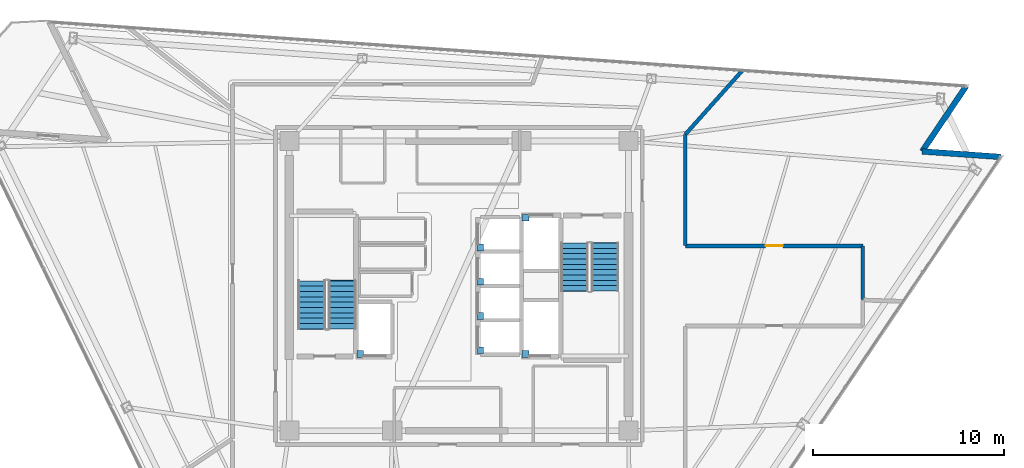
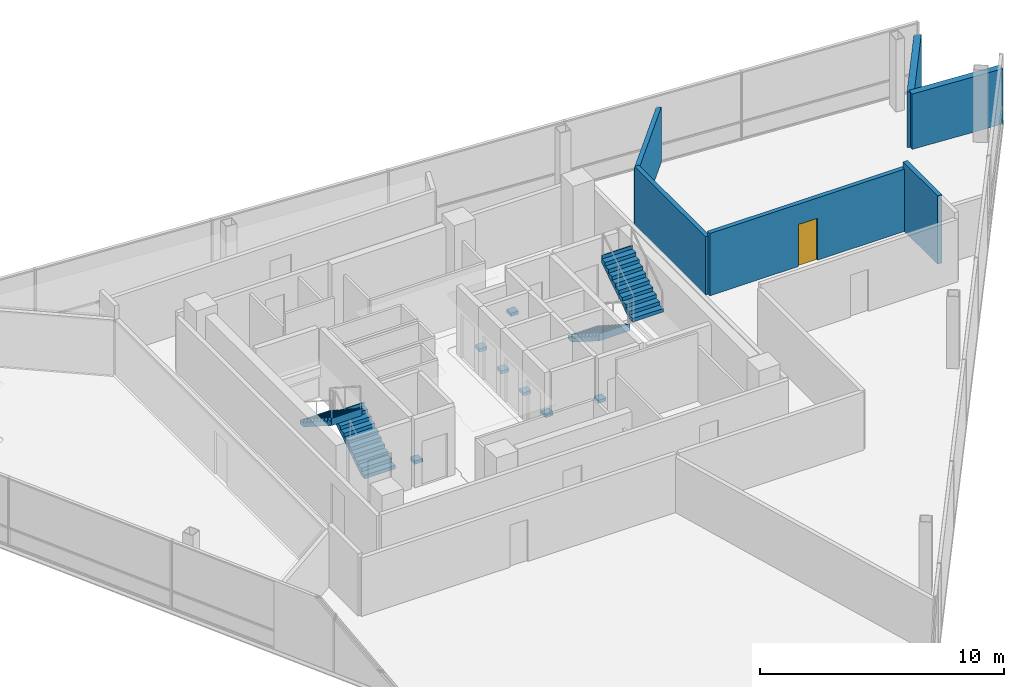
# One storey, part 11 of 14: 7 discrete accessories, 6 walls, 4 stair flights, 1 door, 1 opening, 2 elements without a shape of their own.
"""IFC4 building model written with IfcOpenShell, lengths in metres."""

from ifc_helpers import new_model, si_unit, direction, frame, frame_2d, origin, origin_2d, place, context, subcontext, project, spatial, polyline, rectangle, outline, extrude, material, layer, layer_set, type_object, element, fill, aggregate, save


model = new_model("IFC4")

# Units and contexts
model_context = context("Model", 3, precision=1e-05, world=origin(), true_north=direction((0.0, 1.0)))
body_context = subcontext(model_context, "Body", "Model", "MODEL_VIEW")
ifc_project = project(units=[si_unit("LENGTHUNIT", "METRE"), si_unit("AREAUNIT", "SQUARE_METRE"), si_unit("VOLUMEUNIT", "CUBIC_METRE"), si_unit("PLANEANGLEUNIT", "RADIAN"), si_unit("MASSUNIT", "GRAM", prefix="KILO")], contexts=[model_context])

# Site, building, storey
site_placement = place(None, origin())
site = spatial("IfcSite", under=ifc_project, at=site_placement, CompositionType="ELEMENT")
building_placement = place(site_placement, origin())
building = spatial("IfcBuilding", under=site, at=building_placement, Name="Tharavind Bronze Gate", CompositionType="ELEMENT")
storey_placement = place(building_placement, frame((0.0, 0.0, 230.64990234375)))
storey = spatial("IfcBuildingStorey", under=building, at=storey_placement, Name="L59", CompositionType="ELEMENT", Elevation=230.64990234375)

# Walls
ifc_material_1 = material(Name="Concrete C40/50", Category="concrete")
ifc_layer_1 = layer(ifc_material_1, 0.300048828125)
ifc_layer_set_1 = layer_set([ifc_layer_1], Name="Concrete C40/50")
wall_type_1 = type_object("IfcWallType", Name="EXTERIOR SPANDREL WALL 300", PredefinedType="STANDARD", material=ifc_layer_set_1)
for number, where, z_axis, x_axis, name in (
    (1, (28.430419921875, 6.77001953125, 0.0), (0.0, 0.0, 1.0), (-0.997561808984, 0.069788518089, 0.0), "L59 notch cheek wall 3A"),
    (2, (24.3125, 7.05810546875, 0.0), (0.0, 0.0, 1.0), (0.559209737351, 0.829026217711, 0.0), "L59 notch cheek wall 3B"),
):
    element("IfcWall", number, at=place(storey_placement, frame(where, z_axis=z_axis, x_axis=x_axis)), inside=storey, type_object=wall_type_1, Name=name, PredefinedType="STANDARD", context=body_context, shape_type="SweptSolid", body=[
        extrude(rectangle(XDim=4.1279296875, YDim=0.300048828125, at=frame_2d((2.06396484375, 0.0))), origin(), (0.0, 0.0, 1.0), 2.76513671875),
    ])
ifc_material_2 = material(Name="Aerated Concrete Block", Category="concrete")
ifc_layer_2 = layer(ifc_material_2, 0.199951171875)
ifc_layer_set_2 = layer_set([ifc_layer_2], Name="Aerated Concrete Block")
wall_type_2 = type_object("IfcWallType", Name="FIRE RATED PARTITION 200", PredefinedType="PARTITIONING", material=ifc_layer_set_2)
wall_1_placement = place(storey_placement, frame((21.199951171875, -0.71630859375, 0.0), z_axis=(0.0, 0.0, 1.0), x_axis=(0.0, 1.0, 0.0)))
element("IfcWall", 3, at=wall_1_placement, inside=storey, type_object=wall_type_2, Name="L59 Tea Pantry partition", PredefinedType="PARTITIONING", context=body_context, shape_type="SweptSolid", body=[
    extrude(rectangle(XDim=2.815673828125, YDim=0.199951171875, at=frame_2d((1.40771484375, 0.0))), origin(), (0.0, 0.0, 1.0), 3.420166015625),
])

# Wall, opening, door
wall_2_placement = place(storey_placement, frame((21.199462890625, 2.10009765625, 0.0), z_axis=(0.0, 0.0, 1.0), x_axis=(-1.0, 0.0, 0.0)))
wall_2 = element("IfcWall", 4, at=wall_2_placement, inside=storey, type_object=wall_type_2, Name="L59 Tea Pantry partition", PredefinedType="PARTITIONING", context=body_context, shape_type="SweptSolid", body=[
    extrude(rectangle(XDim=9.29443359375, YDim=0.199951171875, at=frame_2d((4.647216796875, 0.0))), origin(), (0.0, 0.0, 1.0), 3.114990234375),
])
opening_placement = place(wall_2_placement, frame((4.197021484375, 0.0, 0.0)))
opening = element("IfcOpeningElement", 5, at=opening_placement, cuts=wall_2, Name="Opening ID07", PredefinedType="OPENING", context=body_context, shape_type="SweptSolid", body=[
    extrude(rectangle(XDim=0.89990234375, YDim=2.10009765625, at=frame_2d((0.449951171875, 1.050048828125))), frame((0.0, 0.11009765625, 0.0), z_axis=(0.0, -1.0, 0.0), x_axis=(1.0, 0.0, 0.0)), (0.0, 0.0, 1.0), 0.219951171875),
])
ifc_material_3 = material(Name="Galvanised Fire Steel", Category="steel")
door_type = type_object("IfcDoorType", Name="PLANT AND RISER FIRE DOOR 900X2100", OperationType="SINGLE_SWING_LEFT", PredefinedType="DOOR", material=ifc_material_3)
door_placement = place(opening_placement, origin())
door = element("IfcDoor", 6, at=door_placement, inside=storey, type_object=door_type, Name="L59 Tea Pantry door", OperationType="SINGLE_SWING_LEFT", OverallHeight=2.10009765625, OverallWidth=0.89990234375, PredefinedType="DOOR", context=body_context, shape_type="SweptSolid", body=[
    extrude(rectangle(XDim=0.89990234375, YDim=2.10009765625, at=frame_2d((0.449951171875, 1.050048828125))), frame((0.0, 0.02490234375, 0.0), z_axis=(0.0, -1.0, 0.0), x_axis=(1.0, 0.0, 0.0)), (0.0, 0.0, 1.0), 0.050048828125),
])
fill(opening, door)

# Walls
wall_3_placement = place(storey_placement, frame((11.8798828125, 2.125, 0.0), z_axis=(0.0, 0.0, 1.0), x_axis=(0.0, 1.0, 0.0)))
element("IfcWall", 7, at=wall_3_placement, inside=storey, type_object=wall_type_2, Name="L59 Tea Pantry partition", PredefinedType="PARTITIONING", context=body_context, shape_type="SweptSolid", body=[
    extrude(rectangle(XDim=5.811279296875, YDim=0.199951171875, at=frame_2d((2.90576171875, 0.0))), origin(), (0.0, 0.0, 1.0), 2.9150390625),
])
wall_4_placement = place(storey_placement, frame((11.88623046875, 7.952880859375, 0.0), z_axis=(0.0, 0.0, 1.0), x_axis=(0.665672988236, 0.746243574668, 0.0)))
element("IfcWall", 8, at=wall_4_placement, inside=storey, type_object=wall_type_2, Name="L59 Tea Pantry partition", PredefinedType="PARTITIONING", context=body_context, shape_type="SweptSolid", body=[
    extrude(rectangle(XDim=4.487548828125, YDim=0.199951171875, at=frame_2d((2.24365234375, 0.0))), origin(), (0.0, 0.0, 1.0), 2.76513671875),
])

# Stair, stair flights
stair_type = type_object("IfcStairType", Name="CORE HALF TURN STAIR 1450", PredefinedType="HALF_TURN_STAIR", material=ifc_material_1)
stair_1_placement = place(storey_placement, origin())
stair_1 = element("IfcStair", 9, at=stair_1_placement, inside=storey, type_object=stair_type, Name="L59 Protected Exit Stair ST1", PredefinedType="HALF_TURN_STAIR")
stair_flight_type = type_object("IfcStairFlightType", Name="CORE STAIR FLIGHT 1450", PredefinedType="STRAIGHT", material=ifc_material_1)
stair_flight_1_placement = place(storey_placement, frame((-6.125, -2.25, 0.0), z_axis=(0.0, 0.0, 1.0), x_axis=(0.0, 1.0, 0.0)))
stair_flight_1 = element("IfcStairFlight", 10, at=stair_flight_1_placement, type_object=stair_flight_type, Name="ST1 flight 1", NumberOfRisers=10, NumberOfTreads=9, PredefinedType="STRAIGHT", RiserHeight=0.18, TreadLength=0.28, context=body_context, shape_type="SweptSolid", body=[
    extrude(outline(polyline([(0.0, 0.0), (0.0, 0.179931640625), (0.280029296875, 0.179931640625), (0.280029296875, 0.360107421875), (0.56005859375, 0.360107421875), (0.56005859375, 0.5400390625), (0.840087890625, 0.5400390625), (0.840087890625, 0.719970703125), (1.1201171875, 0.719970703125), (1.1201171875, 0.89990234375), (1.39990234375, 0.89990234375), (1.39990234375, 1.080078125), (1.679931640625, 1.080078125), (1.679931640625, 1.260009765625), (1.9599609375, 1.260009765625), (1.9599609375, 1.43994140625), (2.239990234375, 1.43994140625), (2.239990234375, 1.6201171875), (2.52001953125, 1.6201171875), (2.52001953125, 1.800048828125), (2.555908203125, 1.800048828125), (2.555908203125, 1.44189453125), (0.277099609375, 0.0), (0.0, 0.0)])), frame((0.0, 0.72509765625, 0.0), z_axis=(0.0, -1.0, 0.0), x_axis=(1.0, 0.0, 0.0)), (0.0, 0.0, 1.0), 1.449951171875),
])
stair_flight_2_placement = place(storey_placement, frame((-7.72509765625, 0.27001953125, 1.800048828125), z_axis=(0.0, 0.0, 1.0), x_axis=(0.0, -1.0, 0.0)))
stair_flight_2 = element("IfcStairFlight", 11, at=stair_flight_2_placement, type_object=stair_flight_type, Name="ST1 flight 2", NumberOfRisers=10, NumberOfTreads=9, PredefinedType="STRAIGHT", RiserHeight=0.18, TreadLength=0.28, context=body_context, shape_type="SweptSolid", body=[
    extrude(outline(polyline([(0.0, 0.0), (0.0, 0.179931640625), (0.280029296875, 0.179931640625), (0.280029296875, 0.360107421875), (0.56005859375, 0.360107421875), (0.56005859375, 0.5400390625), (0.840087890625, 0.5400390625), (0.840087890625, 0.719970703125), (1.1201171875, 0.719970703125), (1.1201171875, 0.89990234375), (1.39990234375, 0.89990234375), (1.39990234375, 1.080078125), (1.679931640625, 1.080078125), (1.679931640625, 1.260009765625), (1.9599609375, 1.260009765625), (1.9599609375, 1.43994140625), (2.239990234375, 1.43994140625), (2.239990234375, 1.6201171875), (2.52001953125, 1.6201171875), (2.52001953125, 1.800048828125), (2.555908203125, 1.800048828125), (2.555908203125, 1.44189453125), (0.277099609375, 0.0), (0.0, 0.0)])), frame((0.0, 0.72509765625, 0.0), z_axis=(0.0, -1.0, 0.0), x_axis=(1.0, 0.0, 0.0)), (0.0, 0.0, 1.0), 1.449951171875),
])
aggregate(stair_1, [stair_flight_1, stair_flight_2])

stair_2_placement = place(storey_placement, origin())
stair_2 = element("IfcStair", 12, at=stair_2_placement, inside=storey, type_object=stair_type, Name="L59 Protected Exit Stair ST2", PredefinedType="HALF_TURN_STAIR")
stair_flight_3_placement = place(storey_placement, frame((6.074951171875, 2.25, 0.0), z_axis=(0.0, 0.0, 1.0), x_axis=(0.0, -1.0, 0.0)))
stair_flight_3 = element("IfcStairFlight", 13, at=stair_flight_3_placement, type_object=stair_flight_type, Name="ST2 flight 1", NumberOfRisers=10, NumberOfTreads=9, PredefinedType="STRAIGHT", RiserHeight=0.18, TreadLength=0.28, context=body_context, shape_type="SweptSolid", body=[
    extrude(outline(polyline([(0.0, 0.0), (0.0, 0.179931640625), (0.280029296875, 0.179931640625), (0.280029296875, 0.360107421875), (0.56005859375, 0.360107421875), (0.56005859375, 0.5400390625), (0.840087890625, 0.5400390625), (0.840087890625, 0.719970703125), (1.1201171875, 0.719970703125), (1.1201171875, 0.89990234375), (1.39990234375, 0.89990234375), (1.39990234375, 1.080078125), (1.679931640625, 1.080078125), (1.679931640625, 1.260009765625), (1.9599609375, 1.260009765625), (1.9599609375, 1.43994140625), (2.239990234375, 1.43994140625), (2.239990234375, 1.6201171875), (2.52001953125, 1.6201171875), (2.52001953125, 1.800048828125), (2.555908203125, 1.800048828125), (2.555908203125, 1.44189453125), (0.277099609375, 0.0), (0.0, 0.0)])), frame((0.0, 0.72509765625, 0.0), z_axis=(0.0, -1.0, 0.0), x_axis=(1.0, 0.0, 0.0)), (0.0, 0.0, 1.0), 1.449951171875),
])
stair_flight_4_placement = place(storey_placement, frame((7.675048828125, -0.27001953125, 1.800048828125), z_axis=(0.0, 0.0, 1.0), x_axis=(0.0, 1.0, 0.0)))
stair_flight_4 = element("IfcStairFlight", 14, at=stair_flight_4_placement, type_object=stair_flight_type, Name="ST2 flight 2", NumberOfRisers=10, NumberOfTreads=9, PredefinedType="STRAIGHT", RiserHeight=0.18, TreadLength=0.28, context=body_context, shape_type="SweptSolid", body=[
    extrude(outline(polyline([(0.0, 0.0), (0.0, 0.179931640625), (0.280029296875, 0.179931640625), (0.280029296875, 0.360107421875), (0.56005859375, 0.360107421875), (0.56005859375, 0.5400390625), (0.840087890625, 0.5400390625), (0.840087890625, 0.719970703125), (1.1201171875, 0.719970703125), (1.1201171875, 0.89990234375), (1.39990234375, 0.89990234375), (1.39990234375, 1.080078125), (1.679931640625, 1.080078125), (1.679931640625, 1.260009765625), (1.9599609375, 1.260009765625), (1.9599609375, 1.43994140625), (2.239990234375, 1.43994140625), (2.239990234375, 1.6201171875), (2.52001953125, 1.6201171875), (2.52001953125, 1.800048828125), (2.555908203125, 1.800048828125), (2.555908203125, 1.44189453125), (0.277099609375, 0.0), (0.0, 0.0)])), frame((0.0, 0.72509765625, 0.0), z_axis=(0.0, -1.0, 0.0), x_axis=(1.0, 0.0, 0.0)), (0.0, 0.0, 1.0), 1.449951171875),
])
aggregate(stair_2, [stair_flight_3, stair_flight_4])

# Discrete accessories
ifc_material_4 = material(Name="Galvanised Steel S355", Category="steel")
discrete_accessory_type = type_object("IfcDiscreteAccessoryType", Name="LIFT GUIDE RAIL BRACKET", PredefinedType="BRACKET", material=ifc_material_4)
for number, where, z_axis, x_axis, name in (
    (15, (1.1201171875, -3.3798828125, 1.1201171875), (0.0, 0.0, 1.0), (1.0, 0.0, 0.0), "Lift PL9 guide rail bracket at L59"),
    (16, (1.1201171875, -1.580078125, 1.1201171875), (0.0, 0.0, 1.0), (1.0, 0.0, 0.0), "Lift PL10 guide rail bracket at L59"),
    (17, (1.1201171875, 0.219970703125, 1.1201171875), (0.0, 0.0, 1.0), (1.0, 0.0, 0.0), "Lift PL11 guide rail bracket at L59"),
    (18, (1.1201171875, 2.02001953125, 1.1201171875), (0.0, 0.0, 1.0), (1.0, 0.0, 0.0), "Lift PL12 guide rail bracket at L59"),
    (19, (-5.179931640625, -3.580078125, 1.1201171875), (0.0, 0.0, 1.0), (1.0, 0.0, 0.0), "Lift FFL1 guide rail bracket at L59"),
    (20, (3.5, 3.580078125, 1.1201171875), (0.0, 0.0, 1.0), (1.0, 0.0, 0.0), "Lift FFL2 guide rail bracket at L59"),
    (21, (3.5, -3.580078125, 1.1201171875), (0.0, 0.0, 1.0), (1.0, 0.0, 0.0), "Lift SVL1 guide rail bracket at L59"),
):
    element("IfcDiscreteAccessory", number, at=place(storey_placement, frame(where, z_axis=z_axis, x_axis=x_axis)), inside=storey, type_object=discrete_accessory_type, Name=name, PredefinedType="BRACKET", context=body_context, shape_type="SweptSolid", body=[
        extrude(rectangle(XDim=0.360107421875, YDim=0.360107421875, at=origin_2d()), origin(), (0.0, 0.0, 1.0), 0.159912109375),
    ])

save(model, "model.ifc")
